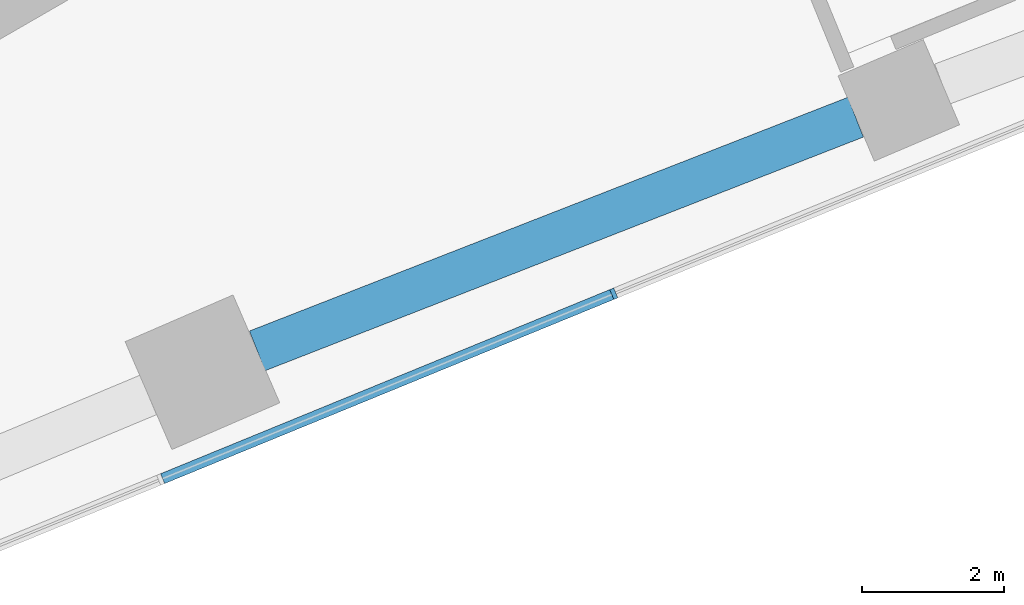
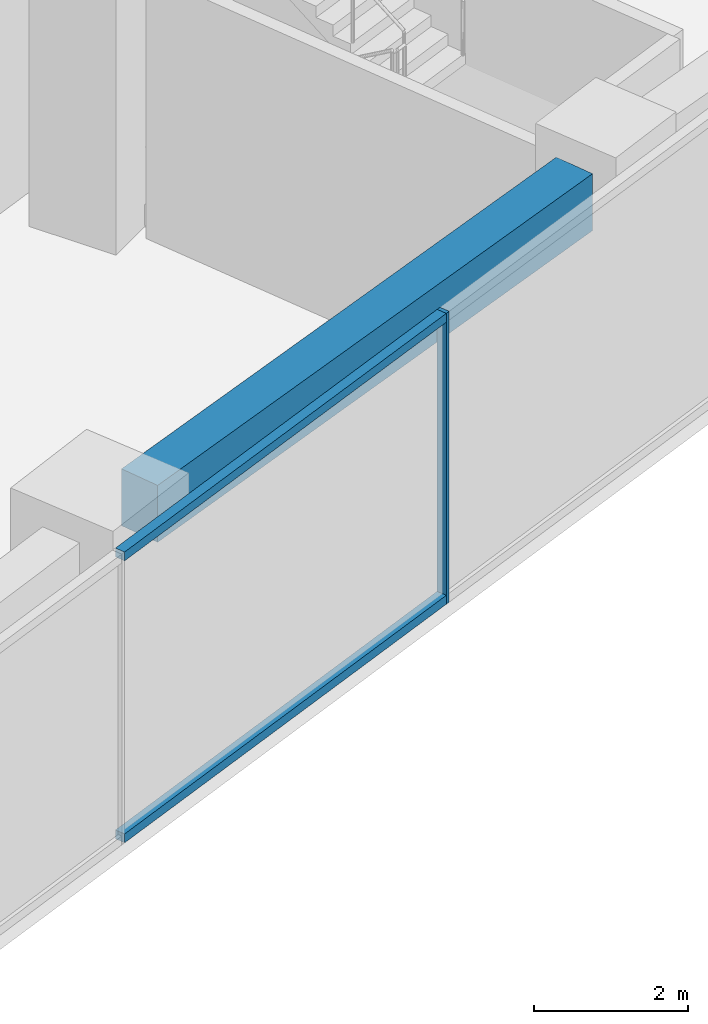
# One storey, part 10 of 40: 3 members, 1 beam, 1 element without a shape of its own.
"""IFC4 building model written with IfcOpenShell, lengths in metres."""

from ifc_helpers import new_model, si_unit, direction, frame, origin, origin_2d, place, context, subcontext, project, spatial, rectangle, extrude, material, layer, layer_set, material_profile, profile_set, type_object, element, aggregate, save


model = new_model("IFC4")

# Units and contexts
model_context = context("Model", 3, precision=1e-05, world=origin(), true_north=direction((0.0, 1.0)))
body_context = subcontext(model_context, "Body", "Model", "MODEL_VIEW")
ifc_project = project(units=[si_unit("LENGTHUNIT", "METRE"), si_unit("AREAUNIT", "SQUARE_METRE"), si_unit("VOLUMEUNIT", "CUBIC_METRE"), si_unit("PLANEANGLEUNIT", "RADIAN"), si_unit("MASSUNIT", "GRAM", prefix="KILO")], contexts=[model_context])

# Site, building, storey
site_placement = place(None, origin())
site = spatial("IfcSite", under=ifc_project, at=site_placement, CompositionType="ELEMENT")
building_placement = place(site_placement, origin())
building = spatial("IfcBuilding", under=site, at=building_placement, Name="Stone Belt Terrace Tower", CompositionType="ELEMENT")
storey_placement = place(building_placement, frame((0.0, 0.0, 7.0)))
storey = spatial("IfcBuildingStorey", under=building, at=storey_placement, Name="L01", CompositionType="ELEMENT", Elevation=7.0)

# Curtain wall, members
ifc_material_1 = material(Name="Aluminium 6063-T6 anodised frame", Category="aluminium")
ifc_layer = layer(ifc_material_1, 0.14990234375)
ifc_layer_set = layer_set([ifc_layer], Name="CW-D podium shopfront")
curtain_wall_type = type_object("IfcCurtainWallType", Name="CW-D podium shopfront", PredefinedType="NOTDEFINED", material=ifc_layer_set)
curtain_wall_placement = place(storey_placement, origin())
curtain_wall = element("IfcCurtainWall", 1, at=curtain_wall_placement, inside=storey, type_object=curtain_wall_type, Name="CW-D end face L01", PredefinedType="NOTDEFINED")
ifc_material_profile_1 = material_profile(ifc_material_1, rectangle(XDim=0.14990234375, YDim=0.06005859375, at=origin_2d()), Name="Aluminium 6063-T6 60x150")
ifc_profile_set_1 = profile_set([ifc_material_profile_1], Name="Aluminium 6063-T6 anodised frame")
member_type_1 = type_object("IfcMemberType", Name="CW-D mullion 60 x 150", PredefinedType="MULLION", material=ifc_profile_set_1)
member_1_placement = place(storey_placement, frame((56.240234375, 22.9697265625, 0.0), z_axis=(0.0, 0.0, 1.0), x_axis=(-0.379243093825, 0.925297074342, 0.0)))
member_1 = element("IfcMember", 2, at=member_1_placement, type_object=member_type_1, Name="CW-D mullion 7", PredefinedType="MULLION", context=body_context, shape_type="SweptSolid", body=[
    extrude(rectangle(XDim=0.14990234375, YDim=0.06005859375, at=origin_2d()), origin(), (0.0, 0.0, 1.0), 4.60009765625),
])
ifc_material_profile_2 = material_profile(ifc_material_1, rectangle(XDim=0.14990234375, YDim=0.139892578125, at=origin_2d()), Name="Aluminium 6063-T6 150x140")
ifc_profile_set_2 = profile_set([ifc_material_profile_2], Name="Aluminium 6063-T6 anodised frame")
member_type_2 = type_object("IfcMemberType", Name="CW-D transom 140 x 150", PredefinedType="USERDEFINED", material=ifc_profile_set_2)
member_2_placement = place(storey_placement, frame((49.906494140625, 20.373779296875, 0.070068359375), z_axis=(0.925300811022, 0.37923397675, 0.0), x_axis=(-0.37923397675, 0.925300811022, 0.0)))
member_2 = element("IfcMember", 3, at=member_2_placement, type_object=member_type_2, Name="CW-D transom 6.1", ObjectType="TRANSOM", PredefinedType="USERDEFINED", context=body_context, shape_type="SweptSolid", body=[
    extrude(rectangle(XDim=0.14990234375, YDim=0.139892578125, at=origin_2d()), origin(), (0.0, 0.0, 1.0), 6.81494140625),
])
member_3_placement = place(storey_placement, frame((49.906494140625, 20.373779296875, 4.530029296875), z_axis=(0.925300811022, 0.37923397675, 0.0), x_axis=(-0.37923397675, 0.925300811022, 0.0)))
member_3 = element("IfcMember", 4, at=member_3_placement, type_object=member_type_2, Name="CW-D transom 6.2", ObjectType="TRANSOM", PredefinedType="USERDEFINED", context=body_context, shape_type="SweptSolid", body=[
    extrude(rectangle(XDim=0.14990234375, YDim=0.139892578125, at=origin_2d()), origin(), (0.0, 0.0, 1.0), 6.81494140625),
])
aggregate(curtain_wall, [member_1, member_2, member_3])

# Beam
ifc_material_2 = material(Name="Concrete B60", Category="concrete")
ifc_material_profile_3 = material_profile(ifc_material_2, rectangle(XDim=0.60009765625, YDim=0.89990234375, at=origin_2d()), Name="RC 600x900")
ifc_profile_set_3 = profile_set([ifc_material_profile_3], Name="Concrete B60")
beam_type = type_object("IfcBeamType", Name="Edge beam RC 600x900 B60", PredefinedType="SPANDREL", material=ifc_profile_set_3)
beam_placement = place(storey_placement, frame((51.235107421875, 22.167724609375, 3.75), z_axis=(0.931488596429, 0.363770524813, 0.0), x_axis=(-0.363770524813, 0.931488596429, 0.0)))
element("IfcBeam", 5, at=beam_placement, inside=storey, type_object=beam_type, Name="Edge beam L01 B Q to R", PredefinedType="SPANDREL", context=body_context, shape_type="SweptSolid", body=[
    extrude(rectangle(XDim=0.60009765625, YDim=0.89990234375, at=origin_2d()), origin(), (0.0, 0.0, 1.0), 9.018798828125),
])

save(model, "model.ifc")
